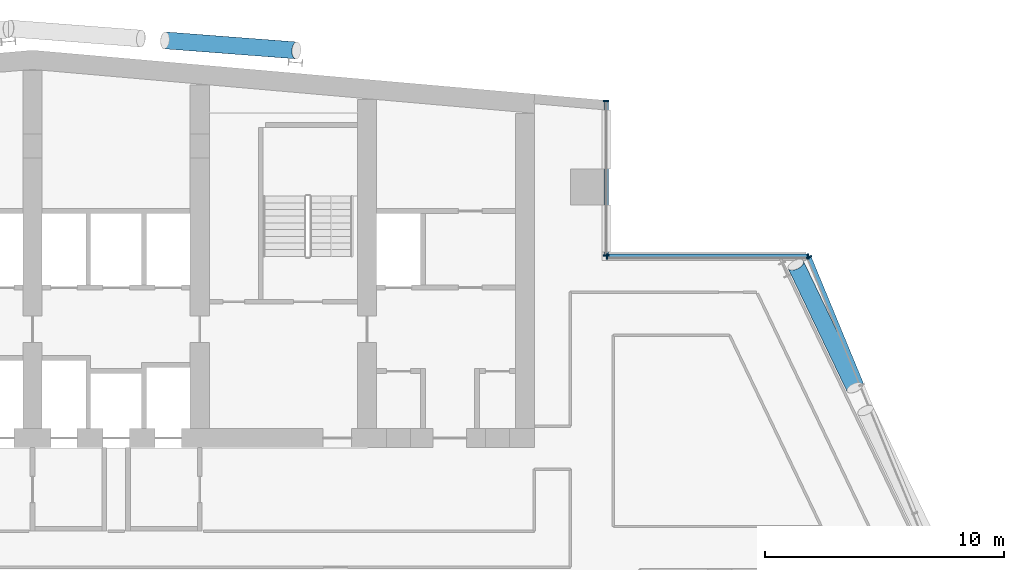
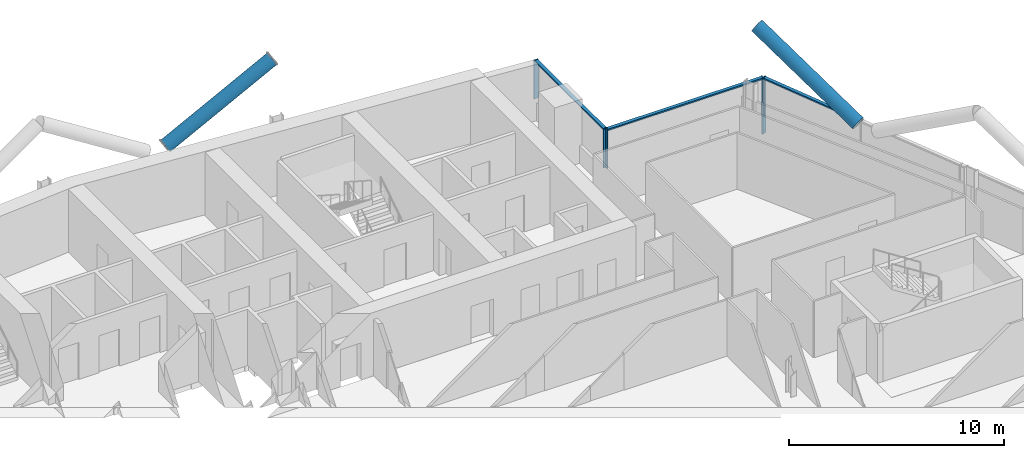
# One storey, part 10 of 28: 10 members, 3 elements without a shape of their own.
"""IFC4 building model written with IfcOpenShell, lengths in metres."""

from ifc_helpers import new_model, si_unit, direction, frame, origin, origin_2d, place, context, subcontext, project, spatial, rectangle, hollow_circle, extrude, material, material_profile, profile_set, type_object, element, aggregate, save


model = new_model("IFC4")

# Units and contexts
model_context = context("Model", 3, precision=1e-05, world=origin(), true_north=direction((0.0, 1.0)))
body_context = subcontext(model_context, "Body", "Model", "MODEL_VIEW")
ifc_project = project(units=[si_unit("LENGTHUNIT", "METRE"), si_unit("AREAUNIT", "SQUARE_METRE"), si_unit("VOLUMEUNIT", "CUBIC_METRE"), si_unit("PLANEANGLEUNIT", "RADIAN"), si_unit("MASSUNIT", "GRAM", prefix="KILO")], contexts=[model_context])

# Site, building, storey
site_placement = place(None, origin())
site = spatial("IfcSite", under=ifc_project, at=site_placement, CompositionType="ELEMENT")
building_placement = place(site_placement, origin())
building = spatial("IfcBuilding", under=site, at=building_placement, Name="Wharfspan Tower", CompositionType="ELEMENT")
storey_placement = place(building_placement, frame((0.0, 0.0, 187.899902)))
storey = spatial("IfcBuildingStorey", under=building, at=storey_placement, Name="L46", CompositionType="ELEMENT", Elevation=187.899902)

# Curtain wall, member
ifc_material_1 = material(Name="Aluminium 6063-T6", Category="aluminium")
curtain_wall_type = type_object("IfcCurtainWallType", Name="CURTAIN WALL PROW AND END", PredefinedType="NOTDEFINED", material=ifc_material_1)
curtain_wall_1_placement = place(storey_placement, origin())
curtain_wall_1 = element("IfcCurtainWall", 1, at=curtain_wall_1_placement, inside=storey, type_object=curtain_wall_type, Name="Curtain wall E", PredefinedType="NOTDEFINED")
ifc_material_profile_1 = material_profile(ifc_material_1, rectangle(XDim=0.23999, YDim=0.060059, at=origin_2d()))
ifc_profile_set_1 = profile_set([ifc_material_profile_1], Name="Aluminium 6063-T6")
member_type_1 = type_object("IfcMemberType", Name="MULLION PROW AND END 60x240", PredefinedType="MULLION", material=ifc_profile_set_1)
member_1_placement = place(storey_placement, frame((69.488525, 41.972168, 0.0), z_axis=(0.0, 0.0, 1.0), x_axis=(-0.924325, -0.381602, 0.0)))
member_1 = element("IfcMember", 2, at=member_1_placement, type_object=member_type_1, Name="Curtain wall E mullion 8", PredefinedType="MULLION", context=body_context, shape_type="SweptSolid", body=[
    extrude(rectangle(XDim=0.23999, YDim=0.060059, at=origin_2d()), origin(), (0.0, 0.0, 1.0), 3.200195),
])

# Curtain wall, members
curtain_wall_2_placement = place(storey_placement, origin())
curtain_wall_2 = element("IfcCurtainWall", 3, at=curtain_wall_2_placement, inside=storey, type_object=curtain_wall_type, Name="Curtain wall NRE-H", PredefinedType="NOTDEFINED")
member_2_placement = place(storey_placement, frame((69.447021, 42.0, 1.0), z_axis=(0.0, 0.0, 1.0), x_axis=(0.0, -1.0, 0.0)))
member_2 = element("IfcMember", 4, at=member_2_placement, type_object=member_type_1, Name="Curtain wall NRE-H mullion 1", PredefinedType="MULLION", context=body_context, shape_type="SweptSolid", body=[
    extrude(rectangle(XDim=0.23999, YDim=0.060059, at=origin_2d()), origin(), (0.0, 0.0, 1.0), 2.200195),
])
member_3_placement = place(storey_placement, frame((61.030029, 42.0, 1.0), z_axis=(0.0, 0.0, 1.0), x_axis=(0.0, -1.0, 0.0)))
member_3 = element("IfcMember", 5, at=member_3_placement, type_object=member_type_1, Name="Curtain wall NRE-H mullion 2", PredefinedType="MULLION", context=body_context, shape_type="SweptSolid", body=[
    extrude(rectangle(XDim=0.23999, YDim=0.060059, at=origin_2d()), origin(), (0.0, 0.0, 1.0), 2.200195),
])

curtain_wall_3_placement = place(storey_placement, origin())
curtain_wall_3 = element("IfcCurtainWall", 6, at=curtain_wall_3_placement, inside=storey, type_object=curtain_wall_type, Name="Curtain wall NRE-V", PredefinedType="NOTDEFINED")
member_4_placement = place(storey_placement, frame((61.0, 42.030029, 1.0), z_axis=(0.0, 0.0, 1.0), x_axis=(-1.0, 0.0, 0.0)))
member_4 = element("IfcMember", 7, at=member_4_placement, type_object=member_type_1, Name="Curtain wall NRE-V mullion 1", PredefinedType="MULLION", context=body_context, shape_type="SweptSolid", body=[
    extrude(rectangle(XDim=0.23999, YDim=0.060059, at=origin_2d()), origin(), (0.0, 0.0, 1.0), 2.200195),
])
member_5_placement = place(storey_placement, frame((61.0, 48.494873, 1.0), z_axis=(0.0, 0.0, 1.0), x_axis=(-1.0, 0.0, 0.0)))
member_5 = element("IfcMember", 8, at=member_5_placement, type_object=member_type_1, Name="Curtain wall NRE-V mullion 2", PredefinedType="MULLION", context=body_context, shape_type="SweptSolid", body=[
    extrude(rectangle(XDim=0.23999, YDim=0.060059, at=origin_2d()), origin(), (0.0, 0.0, 1.0), 2.200195),
])

# Members
ifc_material_2 = material(Name="Steel S460NH", Category="steel")
ifc_material_profile_2 = material_profile(ifc_material_2, hollow_circle(Radius=0.355469, WallThickness=0.035889, at=origin_2d()))
ifc_profile_set_2 = profile_set([ifc_material_profile_2], Name="Steel S460NH")
member_type_2 = type_object("IfcMemberType", Name="Mega brace CHS 711x36", PredefinedType="BRACE", material=ifc_profile_set_2)
member_6_placement = place(storey_placement, frame((71.401123, 36.504395, 3.205811), z_axis=(-0.374119, 0.780731, 0.500494), x_axis=(-0.90181, -0.432137, -3e-06)))
element("IfcMember", 9, at=member_6_placement, inside=storey, type_object=member_type_2, Name="Mega brace E6 L46 part 2", PredefinedType="BRACE", context=body_context, shape_type="SweptSolid", body=[
    extrude(hollow_circle(Radius=0.355469, WallThickness=0.035889, at=origin_2d()), origin(), (0.0, 0.0, 1.0), 6.581787),
])
member_7_placement = place(storey_placement, frame((42.543213, 51.037354, 3.203125), z_axis=(0.855612, -0.065363, 0.513474), x_axis=(0.07617, 0.997093, 2e-06)))
element("IfcMember", 10, at=member_7_placement, inside=storey, type_object=member_type_2, Name="Mega brace N8 L46 part 2", PredefinedType="BRACE", context=body_context, shape_type="SweptSolid", body=[
    extrude(hollow_circle(Radius=0.355469, WallThickness=0.035889, at=origin_2d()), origin(), (0.0, 0.0, 1.0), 6.420654),
])

# Member
ifc_material_profile_3 = material_profile(ifc_material_1, rectangle(XDim=0.179932, YDim=0.080078, at=origin_2d()))
ifc_profile_set_3 = profile_set([ifc_material_profile_3], Name="Aluminium 6063-T6")
member_type_3 = type_object("IfcMemberType", Name="TRANSOM PROW AND END 80x180", PredefinedType="USERDEFINED", material=ifc_profile_set_3)
member_8_placement = place(storey_placement, frame((71.683105, 36.65625, 3.160156), z_axis=(-0.38158, 0.924336, 0.0), x_axis=(-0.924336, -0.38158, 0.0)))
member_8 = element("IfcMember", 11, at=member_8_placement, type_object=member_type_3, Name="Curtain wall E transom 7", ObjectType="TRANSOM", PredefinedType="USERDEFINED", context=body_context, shape_type="SweptSolid", body=[
    extrude(rectangle(XDim=0.179932, YDim=0.080078, at=origin_2d()), origin(), (0.0, 0.0, 1.0), 5.721191),
])

aggregate(curtain_wall_1, [member_1, member_8])

member_9_placement = place(storey_placement, frame((69.416992, 42.0, 3.160156), z_axis=(-1.0, 0.0, 0.0), x_axis=(0.0, -1.0, 0.0)))
member_9 = element("IfcMember", 12, at=member_9_placement, type_object=member_type_3, Name="Curtain wall NRE-H transom 1", ObjectType="TRANSOM", PredefinedType="USERDEFINED", context=body_context, shape_type="SweptSolid", body=[
    extrude(rectangle(XDim=0.179932, YDim=0.080078, at=origin_2d()), origin(), (0.0, 0.0, 1.0), 8.356934),
])

aggregate(curtain_wall_2, [member_2, member_3, member_9])

member_10_placement = place(storey_placement, frame((61.0, 42.060059, 3.160156), z_axis=(0.0, 1.0, 0.0), x_axis=(-1.0, 0.0, 0.0)))
member_10 = element("IfcMember", 13, at=member_10_placement, type_object=member_type_3, Name="Curtain wall NRE-V transom 1", ObjectType="TRANSOM", PredefinedType="USERDEFINED", context=body_context, shape_type="SweptSolid", body=[
    extrude(rectangle(XDim=0.179932, YDim=0.080078, at=origin_2d()), origin(), (0.0, 0.0, 1.0), 6.404785),
])

aggregate(curtain_wall_3, [member_4, member_5, member_10])

save(model, "model.ifc")
